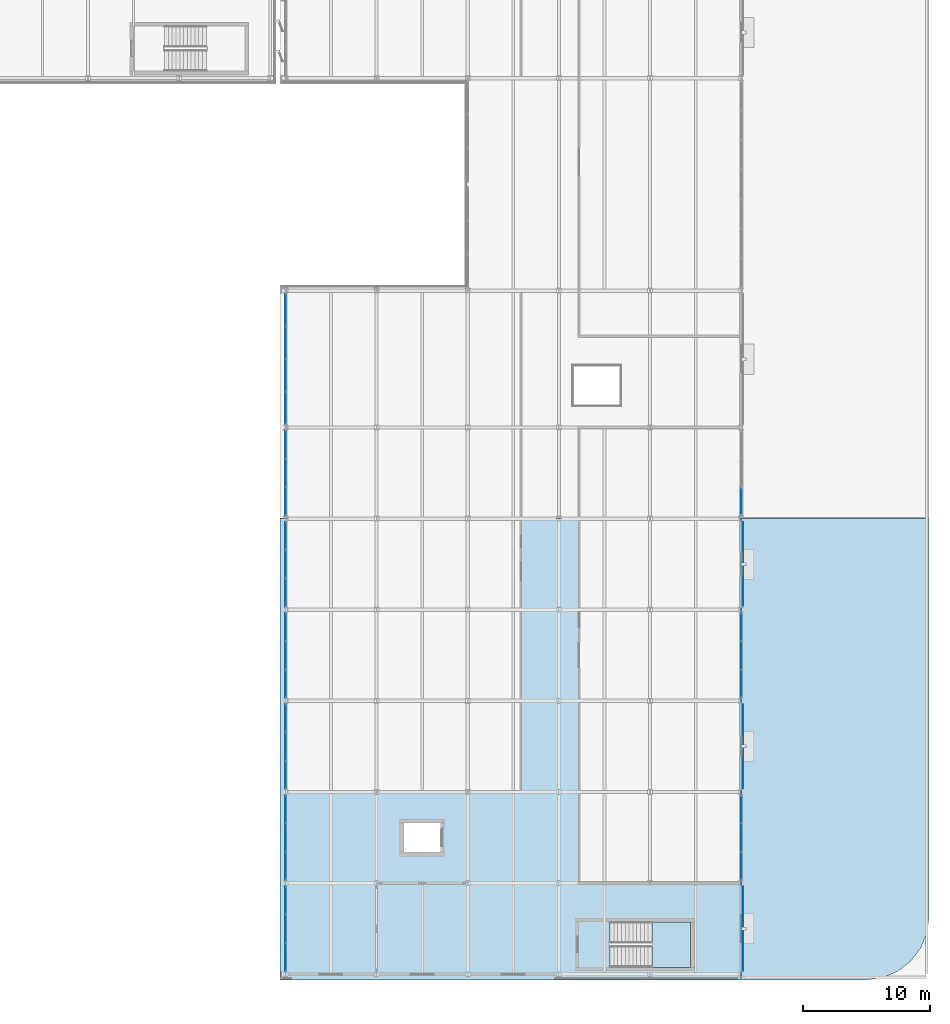
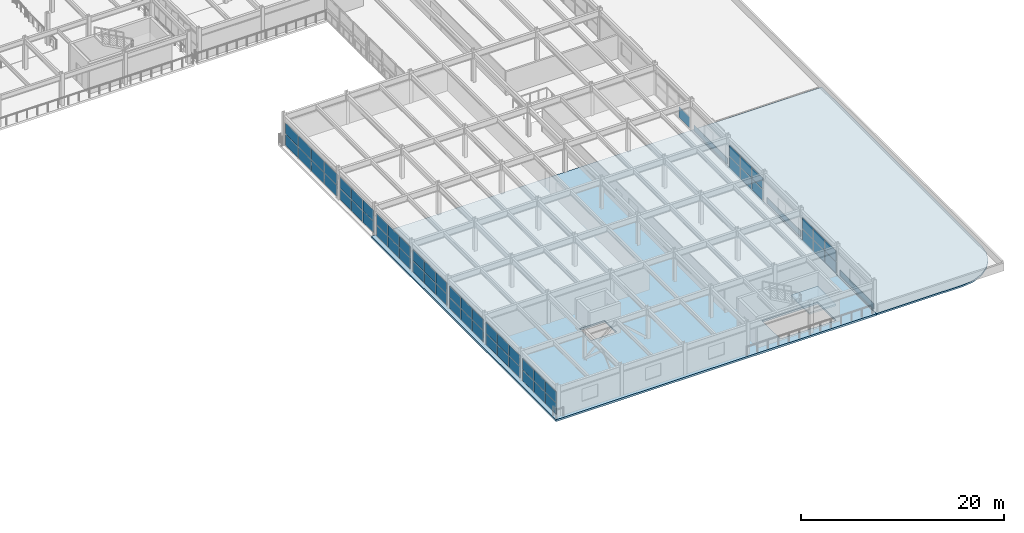
# One storey, part 43 of 80: 60 plates, 3 slabs, 11 elements without a shape of their own.
"""IFC4 building model written with IfcOpenShell, lengths in metres."""

from ifc_helpers import new_model, si_unit, direction, frame, origin, origin_2d, place, context, subcontext, project, spatial, polyline, rectangle, outline, extrude, material, layer, layer_set, type_object, element, aggregate, save


model = new_model("IFC4")

# Units and contexts
model_context = context("Model", 3, precision=1e-05, world=origin(), true_north=direction((0.0, 1.0)))
body_context = subcontext(model_context, "Body", "Model", "MODEL_VIEW")
ifc_project = project(units=[si_unit("LENGTHUNIT", "METRE"), si_unit("AREAUNIT", "SQUARE_METRE"), si_unit("VOLUMEUNIT", "CUBIC_METRE"), si_unit("PLANEANGLEUNIT", "RADIAN"), si_unit("MASSUNIT", "GRAM", prefix="KILO")], contexts=[model_context])

# Site, building, storey
site_placement = place(None, origin())
site = spatial("IfcSite", under=ifc_project, at=site_placement, CompositionType="ELEMENT")
building_placement = place(site_placement, origin())
building = spatial("IfcBuilding", under=site, at=building_placement, Name="Vaelcorin Mobility Hub", CompositionType="ELEMENT")
storey_placement = place(building_placement, frame((0.0, 0.0, 9.300048828125)))
storey = spatial("IfcBuildingStorey", under=building, at=storey_placement, Name="L02", CompositionType="ELEMENT", Elevation=9.300048828125)

# Curtain wall, plates
ifc_material_1 = material(Name="Anodised aluminium 6063-T6", Category="aluminium")
curtain_wall_type = type_object("IfcCurtainWallType", Name="CW-MOB-A", PredefinedType="NOTDEFINED", material=ifc_material_1)
curtain_wall_1_placement = place(storey_placement, origin())
curtain_wall_1 = element("IfcCurtainWall", 1, at=curtain_wall_1_placement, inside=storey, type_object=curtain_wall_type, Name="L02 Curtain Wall CW-V5-L02-E-02", PredefinedType="NOTDEFINED")
ifc_material_2 = material(Name="Low-E solar-control insulated glazing", Category="glass")
ifc_layer_1 = layer(ifc_material_2, 0.028076171875)
ifc_layer_set_1 = layer_set([ifc_layer_1], Name="Low-E solar-control insulated glazing")
plate_type_1 = type_object("IfcPlateType", Name="CW-PAN-GLZ28", PredefinedType="CURTAIN_PANEL", material=ifc_layer_set_1)
plate_1_placement = place(storey_placement, frame((189.60009765625, 19.038330078125, 0.06005859375), z_axis=(0.0, 0.0, 1.0), x_axis=(0.0, -1.0, 0.0)))
plate_1 = element("IfcPlate", 2, at=plate_1_placement, type_object=plate_type_1, Name="CW7 panel 1.1", PredefinedType="CURTAIN_PANEL", context=body_context, shape_type="SweptSolid", body=[
    extrude(rectangle(XDim=2.163330078125, YDim=0.028076171875, at=origin_2d()), origin(), (0.0, 0.0, 1.0), 1.323974609375),
])
plate_2_placement = place(storey_placement, frame((189.60009765625, 19.038330078125, 1.44384765625), z_axis=(0.0, 0.0, 1.0), x_axis=(0.0, -1.0, 0.0)))
plate_2 = element("IfcPlate", 3, at=plate_2_placement, type_object=plate_type_1, Name="CW7 panel 1.2", PredefinedType="CURTAIN_PANEL", context=body_context, shape_type="SweptSolid", body=[
    extrude(rectangle(XDim=2.163330078125, YDim=0.028076171875, at=origin_2d()), origin(), (0.0, 0.0, 1.0), 1.323974609375),
])
plate_3_placement = place(storey_placement, frame((189.60009765625, 16.800048828125, 0.06005859375), z_axis=(0.0, 0.0, 1.0), x_axis=(0.0, -1.0, 0.0)))
plate_3 = element("IfcPlate", 4, at=plate_3_placement, type_object=plate_type_1, Name="CW7 panel 2.1", PredefinedType="CURTAIN_PANEL", context=body_context, shape_type="SweptSolid", body=[
    extrude(rectangle(XDim=2.193359375, YDim=0.028076171875, at=origin_2d()), origin(), (0.0, 0.0, 1.0), 1.323974609375),
])
plate_4_placement = place(storey_placement, frame((189.60009765625, 16.800048828125, 1.44384765625), z_axis=(0.0, 0.0, 1.0), x_axis=(0.0, -1.0, 0.0)))
plate_4 = element("IfcPlate", 5, at=plate_4_placement, type_object=plate_type_1, Name="CW7 panel 2.2", PredefinedType="CURTAIN_PANEL", context=body_context, shape_type="SweptSolid", body=[
    extrude(rectangle(XDim=2.193359375, YDim=0.028076171875, at=origin_2d()), origin(), (0.0, 0.0, 1.0), 1.323974609375),
])
plate_5_placement = place(storey_placement, frame((189.60009765625, 14.561767578125, 0.06005859375), z_axis=(0.0, 0.0, 1.0), x_axis=(0.0, -1.0, 0.0)))
plate_5 = element("IfcPlate", 6, at=plate_5_placement, type_object=plate_type_1, Name="CW7 panel 3.1", PredefinedType="CURTAIN_PANEL", context=body_context, shape_type="SweptSolid", body=[
    extrude(rectangle(XDim=2.163330078125, YDim=0.028076171875, at=origin_2d()), origin(), (0.0, 0.0, 1.0), 1.323974609375),
])
plate_6_placement = place(storey_placement, frame((189.60009765625, 14.561767578125, 1.44384765625), z_axis=(0.0, 0.0, 1.0), x_axis=(0.0, -1.0, 0.0)))
plate_6 = element("IfcPlate", 7, at=plate_6_placement, type_object=plate_type_1, Name="CW7 panel 3.2", PredefinedType="CURTAIN_PANEL", context=body_context, shape_type="SweptSolid", body=[
    extrude(rectangle(XDim=2.163330078125, YDim=0.028076171875, at=origin_2d()), origin(), (0.0, 0.0, 1.0), 1.323974609375),
])
aggregate(curtain_wall_1, [plate_1, plate_2, plate_3, plate_4, plate_5, plate_6])

curtain_wall_2_placement = place(storey_placement, origin())
curtain_wall_2 = element("IfcCurtainWall", 8, at=curtain_wall_2_placement, inside=storey, type_object=curtain_wall_type, Name="L02 Curtain Wall CW-V5-L02-E-04", PredefinedType="NOTDEFINED")
plate_7_placement = place(storey_placement, frame((189.60009765625, 33.438232421875, 0.06005859375), z_axis=(0.0, 0.0, 1.0), x_axis=(0.0, -1.0, 0.0)))
plate_7 = element("IfcPlate", 9, at=plate_7_placement, type_object=plate_type_1, Name="CW7 panel 1.1", PredefinedType="CURTAIN_PANEL", context=body_context, shape_type="SweptSolid", body=[
    extrude(rectangle(XDim=2.163330078125, YDim=0.028076171875, at=origin_2d()), origin(), (0.0, 0.0, 1.0), 1.323974609375),
])
plate_8_placement = place(storey_placement, frame((189.60009765625, 33.438232421875, 1.44384765625), z_axis=(0.0, 0.0, 1.0), x_axis=(0.0, -1.0, 0.0)))
plate_8 = element("IfcPlate", 10, at=plate_8_placement, type_object=plate_type_1, Name="CW7 panel 1.2", PredefinedType="CURTAIN_PANEL", context=body_context, shape_type="SweptSolid", body=[
    extrude(rectangle(XDim=2.163330078125, YDim=0.028076171875, at=origin_2d()), origin(), (0.0, 0.0, 1.0), 1.323974609375),
])
plate_9_placement = place(storey_placement, frame((189.60009765625, 31.199951171875, 0.06005859375), z_axis=(0.0, 0.0, 1.0), x_axis=(0.0, -1.0, 0.0)))
plate_9 = element("IfcPlate", 11, at=plate_9_placement, type_object=plate_type_1, Name="CW7 panel 2.1", PredefinedType="CURTAIN_PANEL", context=body_context, shape_type="SweptSolid", body=[
    extrude(rectangle(XDim=2.193359375, YDim=0.028076171875, at=origin_2d()), origin(), (0.0, 0.0, 1.0), 1.323974609375),
])
plate_10_placement = place(storey_placement, frame((189.60009765625, 31.199951171875, 1.44384765625), z_axis=(0.0, 0.0, 1.0), x_axis=(0.0, -1.0, 0.0)))
plate_10 = element("IfcPlate", 12, at=plate_10_placement, type_object=plate_type_1, Name="CW7 panel 2.2", PredefinedType="CURTAIN_PANEL", context=body_context, shape_type="SweptSolid", body=[
    extrude(rectangle(XDim=2.193359375, YDim=0.028076171875, at=origin_2d()), origin(), (0.0, 0.0, 1.0), 1.323974609375),
])
plate_11_placement = place(storey_placement, frame((189.60009765625, 28.961669921875, 0.06005859375), z_axis=(0.0, 0.0, 1.0), x_axis=(0.0, -1.0, 0.0)))
plate_11 = element("IfcPlate", 13, at=plate_11_placement, type_object=plate_type_1, Name="CW7 panel 3.1", PredefinedType="CURTAIN_PANEL", context=body_context, shape_type="SweptSolid", body=[
    extrude(rectangle(XDim=2.163330078125, YDim=0.028076171875, at=origin_2d()), origin(), (0.0, 0.0, 1.0), 1.323974609375),
])
plate_12_placement = place(storey_placement, frame((189.60009765625, 28.961669921875, 1.44384765625), z_axis=(0.0, 0.0, 1.0), x_axis=(0.0, -1.0, 0.0)))
plate_12 = element("IfcPlate", 14, at=plate_12_placement, type_object=plate_type_1, Name="CW7 panel 3.2", PredefinedType="CURTAIN_PANEL", context=body_context, shape_type="SweptSolid", body=[
    extrude(rectangle(XDim=2.163330078125, YDim=0.028076171875, at=origin_2d()), origin(), (0.0, 0.0, 1.0), 1.323974609375),
])
aggregate(curtain_wall_2, [plate_7, plate_8, plate_9, plate_10, plate_11, plate_12])

# Curtain wall, plate
curtain_wall_3_placement = place(storey_placement, origin())
curtain_wall_3 = element("IfcCurtainWall", 15, at=curtain_wall_3_placement, inside=storey, type_object=curtain_wall_type, Name="L02 Curtain Wall CW-V5-L02-E-06", PredefinedType="NOTDEFINED")
plate_13_placement = place(storey_placement, frame((189.60009765625, 43.361572265625, 0.06005859375), z_axis=(0.0, 0.0, 1.0), x_axis=(0.0, -1.0, 0.0)))
plate_13 = element("IfcPlate", 16, at=plate_13_placement, type_object=plate_type_1, Name="CW7 panel 3.1", PredefinedType="CURTAIN_PANEL", context=body_context, shape_type="SweptSolid", body=[
    extrude(rectangle(XDim=2.163330078125, YDim=0.028076171875, at=origin_2d()), origin(), (0.0, 0.0, 1.0), 1.323974609375),
])
aggregate(curtain_wall_3, [plate_13])

# Curtain wall, plates
curtain_wall_4_placement = place(storey_placement, origin())
curtain_wall_4 = element("IfcCurtainWall", 17, at=curtain_wall_4_placement, inside=storey, type_object=curtain_wall_type, Name="L02 Curtain Wall CW-V5-L02-WS-01", PredefinedType="NOTDEFINED")
plate_14_placement = place(storey_placement, frame((153.60009765625, 7.361572265625, 0.06005859375), z_axis=(0.0, 0.0, 1.0), x_axis=(0.0, 1.0, 0.0)))
plate_14 = element("IfcPlate", 18, at=plate_14_placement, type_object=plate_type_1, Name="CW7 panel 1.1", PredefinedType="CURTAIN_PANEL", context=body_context, shape_type="SweptSolid", body=[
    extrude(rectangle(XDim=2.163330078125, YDim=0.028076171875, at=origin_2d()), origin(), (0.0, 0.0, 1.0), 1.323974609375),
])
plate_15_placement = place(storey_placement, frame((153.60009765625, 7.361572265625, 1.44384765625), z_axis=(0.0, 0.0, 1.0), x_axis=(0.0, 1.0, 0.0)))
plate_15 = element("IfcPlate", 19, at=plate_15_placement, type_object=plate_type_1, Name="CW7 panel 1.2", PredefinedType="CURTAIN_PANEL", context=body_context, shape_type="SweptSolid", body=[
    extrude(rectangle(XDim=2.163330078125, YDim=0.028076171875, at=origin_2d()), origin(), (0.0, 0.0, 1.0), 1.323974609375),
])
plate_16_placement = place(storey_placement, frame((153.60009765625, 9.60009765625, 0.06005859375), z_axis=(0.0, 0.0, 1.0), x_axis=(0.0, 1.0, 0.0)))
plate_16 = element("IfcPlate", 20, at=plate_16_placement, type_object=plate_type_1, Name="CW7 panel 2.1", PredefinedType="CURTAIN_PANEL", context=body_context, shape_type="SweptSolid", body=[
    extrude(rectangle(XDim=2.193359375, YDim=0.028076171875, at=origin_2d()), origin(), (0.0, 0.0, 1.0), 1.323974609375),
])
plate_17_placement = place(storey_placement, frame((153.60009765625, 9.60009765625, 1.44384765625), z_axis=(0.0, 0.0, 1.0), x_axis=(0.0, 1.0, 0.0)))
plate_17 = element("IfcPlate", 21, at=plate_17_placement, type_object=plate_type_1, Name="CW7 panel 2.2", PredefinedType="CURTAIN_PANEL", context=body_context, shape_type="SweptSolid", body=[
    extrude(rectangle(XDim=2.193359375, YDim=0.028076171875, at=origin_2d()), origin(), (0.0, 0.0, 1.0), 1.323974609375),
])
plate_18_placement = place(storey_placement, frame((153.60009765625, 11.83837890625, 0.06005859375), z_axis=(0.0, 0.0, 1.0), x_axis=(0.0, 1.0, 0.0)))
plate_18 = element("IfcPlate", 22, at=plate_18_placement, type_object=plate_type_1, Name="CW7 panel 3.1", PredefinedType="CURTAIN_PANEL", context=body_context, shape_type="SweptSolid", body=[
    extrude(rectangle(XDim=2.163330078125, YDim=0.028076171875, at=origin_2d()), origin(), (0.0, 0.0, 1.0), 1.323974609375),
])
plate_19_placement = place(storey_placement, frame((153.60009765625, 11.83837890625, 1.44384765625), z_axis=(0.0, 0.0, 1.0), x_axis=(0.0, 1.0, 0.0)))
plate_19 = element("IfcPlate", 23, at=plate_19_placement, type_object=plate_type_1, Name="CW7 panel 3.2", PredefinedType="CURTAIN_PANEL", context=body_context, shape_type="SweptSolid", body=[
    extrude(rectangle(XDim=2.163330078125, YDim=0.028076171875, at=origin_2d()), origin(), (0.0, 0.0, 1.0), 1.323974609375),
])
aggregate(curtain_wall_4, [plate_14, plate_15, plate_16, plate_17, plate_18, plate_19])

curtain_wall_5_placement = place(storey_placement, origin())
curtain_wall_5 = element("IfcCurtainWall", 24, at=curtain_wall_5_placement, inside=storey, type_object=curtain_wall_type, Name="L02 Curtain Wall CW-V5-L02-WS-02", PredefinedType="NOTDEFINED")
plate_20_placement = place(storey_placement, frame((153.60009765625, 14.561767578125, 0.06005859375), z_axis=(0.0, 0.0, 1.0), x_axis=(0.0, 1.0, 0.0)))
plate_20 = element("IfcPlate", 25, at=plate_20_placement, type_object=plate_type_1, Name="CW7 panel 1.1", PredefinedType="CURTAIN_PANEL", context=body_context, shape_type="SweptSolid", body=[
    extrude(rectangle(XDim=2.163330078125, YDim=0.028076171875, at=origin_2d()), origin(), (0.0, 0.0, 1.0), 1.323974609375),
])
plate_21_placement = place(storey_placement, frame((153.60009765625, 14.561767578125, 1.44384765625), z_axis=(0.0, 0.0, 1.0), x_axis=(0.0, 1.0, 0.0)))
plate_21 = element("IfcPlate", 26, at=plate_21_placement, type_object=plate_type_1, Name="CW7 panel 1.2", PredefinedType="CURTAIN_PANEL", context=body_context, shape_type="SweptSolid", body=[
    extrude(rectangle(XDim=2.163330078125, YDim=0.028076171875, at=origin_2d()), origin(), (0.0, 0.0, 1.0), 1.323974609375),
])
plate_22_placement = place(storey_placement, frame((153.60009765625, 16.800048828125, 0.06005859375), z_axis=(0.0, 0.0, 1.0), x_axis=(0.0, 1.0, 0.0)))
plate_22 = element("IfcPlate", 27, at=plate_22_placement, type_object=plate_type_1, Name="CW7 panel 2.1", PredefinedType="CURTAIN_PANEL", context=body_context, shape_type="SweptSolid", body=[
    extrude(rectangle(XDim=2.193359375, YDim=0.028076171875, at=origin_2d()), origin(), (0.0, 0.0, 1.0), 1.323974609375),
])
plate_23_placement = place(storey_placement, frame((153.60009765625, 16.800048828125, 1.44384765625), z_axis=(0.0, 0.0, 1.0), x_axis=(0.0, 1.0, 0.0)))
plate_23 = element("IfcPlate", 28, at=plate_23_placement, type_object=plate_type_1, Name="CW7 panel 2.2", PredefinedType="CURTAIN_PANEL", context=body_context, shape_type="SweptSolid", body=[
    extrude(rectangle(XDim=2.193359375, YDim=0.028076171875, at=origin_2d()), origin(), (0.0, 0.0, 1.0), 1.323974609375),
])
plate_24_placement = place(storey_placement, frame((153.60009765625, 19.038330078125, 0.06005859375), z_axis=(0.0, 0.0, 1.0), x_axis=(0.0, 1.0, 0.0)))
plate_24 = element("IfcPlate", 29, at=plate_24_placement, type_object=plate_type_1, Name="CW7 panel 3.1", PredefinedType="CURTAIN_PANEL", context=body_context, shape_type="SweptSolid", body=[
    extrude(rectangle(XDim=2.163330078125, YDim=0.028076171875, at=origin_2d()), origin(), (0.0, 0.0, 1.0), 1.323974609375),
])
plate_25_placement = place(storey_placement, frame((153.60009765625, 19.038330078125, 1.44384765625), z_axis=(0.0, 0.0, 1.0), x_axis=(0.0, 1.0, 0.0)))
plate_25 = element("IfcPlate", 30, at=plate_25_placement, type_object=plate_type_1, Name="CW7 panel 3.2", PredefinedType="CURTAIN_PANEL", context=body_context, shape_type="SweptSolid", body=[
    extrude(rectangle(XDim=2.163330078125, YDim=0.028076171875, at=origin_2d()), origin(), (0.0, 0.0, 1.0), 1.323974609375),
])
aggregate(curtain_wall_5, [plate_20, plate_21, plate_22, plate_23, plate_24, plate_25])

curtain_wall_6_placement = place(storey_placement, origin())
curtain_wall_6 = element("IfcCurtainWall", 31, at=curtain_wall_6_placement, inside=storey, type_object=curtain_wall_type, Name="L02 Curtain Wall CW-V5-L02-WS-03", PredefinedType="NOTDEFINED")
plate_26_placement = place(storey_placement, frame((153.60009765625, 21.76171875, 0.06005859375), z_axis=(0.0, 0.0, 1.0), x_axis=(0.0, 1.0, 0.0)))
plate_26 = element("IfcPlate", 32, at=plate_26_placement, type_object=plate_type_1, Name="CW7 panel 1.1", PredefinedType="CURTAIN_PANEL", context=body_context, shape_type="SweptSolid", body=[
    extrude(rectangle(XDim=2.163330078125, YDim=0.028076171875, at=origin_2d()), origin(), (0.0, 0.0, 1.0), 1.323974609375),
])
plate_27_placement = place(storey_placement, frame((153.60009765625, 21.76171875, 1.44384765625), z_axis=(0.0, 0.0, 1.0), x_axis=(0.0, 1.0, 0.0)))
plate_27 = element("IfcPlate", 33, at=plate_27_placement, type_object=plate_type_1, Name="CW7 panel 1.2", PredefinedType="CURTAIN_PANEL", context=body_context, shape_type="SweptSolid", body=[
    extrude(rectangle(XDim=2.163330078125, YDim=0.028076171875, at=origin_2d()), origin(), (0.0, 0.0, 1.0), 1.323974609375),
])
plate_28_placement = place(storey_placement, frame((153.60009765625, 24.0, 0.06005859375), z_axis=(0.0, 0.0, 1.0), x_axis=(0.0, 1.0, 0.0)))
plate_28 = element("IfcPlate", 34, at=plate_28_placement, type_object=plate_type_1, Name="CW7 panel 2.1", PredefinedType="CURTAIN_PANEL", context=body_context, shape_type="SweptSolid", body=[
    extrude(rectangle(XDim=2.193359375, YDim=0.028076171875, at=origin_2d()), origin(), (0.0, 0.0, 1.0), 1.323974609375),
])
plate_29_placement = place(storey_placement, frame((153.60009765625, 24.0, 1.44384765625), z_axis=(0.0, 0.0, 1.0), x_axis=(0.0, 1.0, 0.0)))
plate_29 = element("IfcPlate", 35, at=plate_29_placement, type_object=plate_type_1, Name="CW7 panel 2.2", PredefinedType="CURTAIN_PANEL", context=body_context, shape_type="SweptSolid", body=[
    extrude(rectangle(XDim=2.193359375, YDim=0.028076171875, at=origin_2d()), origin(), (0.0, 0.0, 1.0), 1.323974609375),
])
plate_30_placement = place(storey_placement, frame((153.60009765625, 26.23828125, 0.06005859375), z_axis=(0.0, 0.0, 1.0), x_axis=(0.0, 1.0, 0.0)))
plate_30 = element("IfcPlate", 36, at=plate_30_placement, type_object=plate_type_1, Name="CW7 panel 3.1", PredefinedType="CURTAIN_PANEL", context=body_context, shape_type="SweptSolid", body=[
    extrude(rectangle(XDim=2.163330078125, YDim=0.028076171875, at=origin_2d()), origin(), (0.0, 0.0, 1.0), 1.323974609375),
])
plate_31_placement = place(storey_placement, frame((153.60009765625, 26.23828125, 1.44384765625), z_axis=(0.0, 0.0, 1.0), x_axis=(0.0, 1.0, 0.0)))
plate_31 = element("IfcPlate", 37, at=plate_31_placement, type_object=plate_type_1, Name="CW7 panel 3.2", PredefinedType="CURTAIN_PANEL", context=body_context, shape_type="SweptSolid", body=[
    extrude(rectangle(XDim=2.163330078125, YDim=0.028076171875, at=origin_2d()), origin(), (0.0, 0.0, 1.0), 1.323974609375),
])
aggregate(curtain_wall_6, [plate_26, plate_27, plate_28, plate_29, plate_30, plate_31])

curtain_wall_7_placement = place(storey_placement, origin())
curtain_wall_7 = element("IfcCurtainWall", 38, at=curtain_wall_7_placement, inside=storey, type_object=curtain_wall_type, Name="L02 Curtain Wall CW-V5-L02-WS-04", PredefinedType="NOTDEFINED")
plate_32_placement = place(storey_placement, frame((153.60009765625, 28.961669921875, 0.06005859375), z_axis=(0.0, 0.0, 1.0), x_axis=(0.0, 1.0, 0.0)))
plate_32 = element("IfcPlate", 39, at=plate_32_placement, type_object=plate_type_1, Name="CW7 panel 1.1", PredefinedType="CURTAIN_PANEL", context=body_context, shape_type="SweptSolid", body=[
    extrude(rectangle(XDim=2.163330078125, YDim=0.028076171875, at=origin_2d()), origin(), (0.0, 0.0, 1.0), 1.323974609375),
])
plate_33_placement = place(storey_placement, frame((153.60009765625, 28.961669921875, 1.44384765625), z_axis=(0.0, 0.0, 1.0), x_axis=(0.0, 1.0, 0.0)))
plate_33 = element("IfcPlate", 40, at=plate_33_placement, type_object=plate_type_1, Name="CW7 panel 1.2", PredefinedType="CURTAIN_PANEL", context=body_context, shape_type="SweptSolid", body=[
    extrude(rectangle(XDim=2.163330078125, YDim=0.028076171875, at=origin_2d()), origin(), (0.0, 0.0, 1.0), 1.323974609375),
])
plate_34_placement = place(storey_placement, frame((153.60009765625, 31.199951171875, 0.06005859375), z_axis=(0.0, 0.0, 1.0), x_axis=(0.0, 1.0, 0.0)))
plate_34 = element("IfcPlate", 41, at=plate_34_placement, type_object=plate_type_1, Name="CW7 panel 2.1", PredefinedType="CURTAIN_PANEL", context=body_context, shape_type="SweptSolid", body=[
    extrude(rectangle(XDim=2.193359375, YDim=0.028076171875, at=origin_2d()), origin(), (0.0, 0.0, 1.0), 1.323974609375),
])
plate_35_placement = place(storey_placement, frame((153.60009765625, 31.199951171875, 1.44384765625), z_axis=(0.0, 0.0, 1.0), x_axis=(0.0, 1.0, 0.0)))
plate_35 = element("IfcPlate", 42, at=plate_35_placement, type_object=plate_type_1, Name="CW7 panel 2.2", PredefinedType="CURTAIN_PANEL", context=body_context, shape_type="SweptSolid", body=[
    extrude(rectangle(XDim=2.193359375, YDim=0.028076171875, at=origin_2d()), origin(), (0.0, 0.0, 1.0), 1.323974609375),
])
plate_36_placement = place(storey_placement, frame((153.60009765625, 33.438232421875, 0.06005859375), z_axis=(0.0, 0.0, 1.0), x_axis=(0.0, 1.0, 0.0)))
plate_36 = element("IfcPlate", 43, at=plate_36_placement, type_object=plate_type_1, Name="CW7 panel 3.1", PredefinedType="CURTAIN_PANEL", context=body_context, shape_type="SweptSolid", body=[
    extrude(rectangle(XDim=2.163330078125, YDim=0.028076171875, at=origin_2d()), origin(), (0.0, 0.0, 1.0), 1.323974609375),
])
plate_37_placement = place(storey_placement, frame((153.60009765625, 33.438232421875, 1.44384765625), z_axis=(0.0, 0.0, 1.0), x_axis=(0.0, 1.0, 0.0)))
plate_37 = element("IfcPlate", 44, at=plate_37_placement, type_object=plate_type_1, Name="CW7 panel 3.2", PredefinedType="CURTAIN_PANEL", context=body_context, shape_type="SweptSolid", body=[
    extrude(rectangle(XDim=2.163330078125, YDim=0.028076171875, at=origin_2d()), origin(), (0.0, 0.0, 1.0), 1.323974609375),
])
aggregate(curtain_wall_7, [plate_32, plate_33, plate_34, plate_35, plate_36, plate_37])

curtain_wall_8_placement = place(storey_placement, origin())
curtain_wall_8 = element("IfcCurtainWall", 45, at=curtain_wall_8_placement, inside=storey, type_object=curtain_wall_type, Name="L02 Curtain Wall CW-V5-L02-WS-05", PredefinedType="NOTDEFINED")
plate_38_placement = place(storey_placement, frame((153.60009765625, 36.16162109375, 0.06005859375), z_axis=(0.0, 0.0, 1.0), x_axis=(0.0, 1.0, 0.0)))
plate_38 = element("IfcPlate", 46, at=plate_38_placement, type_object=plate_type_1, Name="CW7 panel 1.1", PredefinedType="CURTAIN_PANEL", context=body_context, shape_type="SweptSolid", body=[
    extrude(rectangle(XDim=2.163330078125, YDim=0.028076171875, at=origin_2d()), origin(), (0.0, 0.0, 1.0), 1.323974609375),
])
plate_39_placement = place(storey_placement, frame((153.60009765625, 36.16162109375, 1.44384765625), z_axis=(0.0, 0.0, 1.0), x_axis=(0.0, 1.0, 0.0)))
plate_39 = element("IfcPlate", 47, at=plate_39_placement, type_object=plate_type_1, Name="CW7 panel 1.2", PredefinedType="CURTAIN_PANEL", context=body_context, shape_type="SweptSolid", body=[
    extrude(rectangle(XDim=2.163330078125, YDim=0.028076171875, at=origin_2d()), origin(), (0.0, 0.0, 1.0), 1.323974609375),
])
plate_40_placement = place(storey_placement, frame((153.60009765625, 38.39990234375, 0.06005859375), z_axis=(0.0, 0.0, 1.0), x_axis=(0.0, 1.0, 0.0)))
plate_40 = element("IfcPlate", 48, at=plate_40_placement, type_object=plate_type_1, Name="CW7 panel 2.1", PredefinedType="CURTAIN_PANEL", context=body_context, shape_type="SweptSolid", body=[
    extrude(rectangle(XDim=2.193359375, YDim=0.028076171875, at=origin_2d()), origin(), (0.0, 0.0, 1.0), 1.323974609375),
])
plate_41_placement = place(storey_placement, frame((153.60009765625, 38.39990234375, 1.44384765625), z_axis=(0.0, 0.0, 1.0), x_axis=(0.0, 1.0, 0.0)))
plate_41 = element("IfcPlate", 49, at=plate_41_placement, type_object=plate_type_1, Name="CW7 panel 2.2", PredefinedType="CURTAIN_PANEL", context=body_context, shape_type="SweptSolid", body=[
    extrude(rectangle(XDim=2.193359375, YDim=0.028076171875, at=origin_2d()), origin(), (0.0, 0.0, 1.0), 1.323974609375),
])
plate_42_placement = place(storey_placement, frame((153.60009765625, 40.638427734375, 0.06005859375), z_axis=(0.0, 0.0, 1.0), x_axis=(0.0, 1.0, 0.0)))
plate_42 = element("IfcPlate", 50, at=plate_42_placement, type_object=plate_type_1, Name="CW7 panel 3.1", PredefinedType="CURTAIN_PANEL", context=body_context, shape_type="SweptSolid", body=[
    extrude(rectangle(XDim=2.163330078125, YDim=0.028076171875, at=origin_2d()), origin(), (0.0, 0.0, 1.0), 1.323974609375),
])
plate_43_placement = place(storey_placement, frame((153.60009765625, 40.638427734375, 1.44384765625), z_axis=(0.0, 0.0, 1.0), x_axis=(0.0, 1.0, 0.0)))
plate_43 = element("IfcPlate", 51, at=plate_43_placement, type_object=plate_type_1, Name="CW7 panel 3.2", PredefinedType="CURTAIN_PANEL", context=body_context, shape_type="SweptSolid", body=[
    extrude(rectangle(XDim=2.163330078125, YDim=0.028076171875, at=origin_2d()), origin(), (0.0, 0.0, 1.0), 1.323974609375),
])
aggregate(curtain_wall_8, [plate_38, plate_39, plate_40, plate_41, plate_42, plate_43])

curtain_wall_9_placement = place(storey_placement, origin())
curtain_wall_9 = element("IfcCurtainWall", 52, at=curtain_wall_9_placement, inside=storey, type_object=curtain_wall_type, Name="L02 Curtain Wall CW-V5-L02-WS-06", PredefinedType="NOTDEFINED")
plate_44_placement = place(storey_placement, frame((153.60009765625, 43.361572265625, 0.06005859375), z_axis=(0.0, 0.0, 1.0), x_axis=(0.0, 1.0, 0.0)))
plate_44 = element("IfcPlate", 53, at=plate_44_placement, type_object=plate_type_1, Name="CW7 panel 1.1", PredefinedType="CURTAIN_PANEL", context=body_context, shape_type="SweptSolid", body=[
    extrude(rectangle(XDim=2.163330078125, YDim=0.028076171875, at=origin_2d()), origin(), (0.0, 0.0, 1.0), 1.323974609375),
])
plate_45_placement = place(storey_placement, frame((153.60009765625, 43.361572265625, 1.44384765625), z_axis=(0.0, 0.0, 1.0), x_axis=(0.0, 1.0, 0.0)))
plate_45 = element("IfcPlate", 54, at=plate_45_placement, type_object=plate_type_1, Name="CW7 panel 1.2", PredefinedType="CURTAIN_PANEL", context=body_context, shape_type="SweptSolid", body=[
    extrude(rectangle(XDim=2.163330078125, YDim=0.028076171875, at=origin_2d()), origin(), (0.0, 0.0, 1.0), 1.323974609375),
])
plate_46_placement = place(storey_placement, frame((153.60009765625, 45.60009765625, 0.06005859375), z_axis=(0.0, 0.0, 1.0), x_axis=(0.0, 1.0, 0.0)))
plate_46 = element("IfcPlate", 55, at=plate_46_placement, type_object=plate_type_1, Name="CW7 panel 2.1", PredefinedType="CURTAIN_PANEL", context=body_context, shape_type="SweptSolid", body=[
    extrude(rectangle(XDim=2.193359375, YDim=0.028076171875, at=origin_2d()), origin(), (0.0, 0.0, 1.0), 1.323974609375),
])
plate_47_placement = place(storey_placement, frame((153.60009765625, 45.60009765625, 1.44384765625), z_axis=(0.0, 0.0, 1.0), x_axis=(0.0, 1.0, 0.0)))
plate_47 = element("IfcPlate", 56, at=plate_47_placement, type_object=plate_type_1, Name="CW7 panel 2.2", PredefinedType="CURTAIN_PANEL", context=body_context, shape_type="SweptSolid", body=[
    extrude(rectangle(XDim=2.193359375, YDim=0.028076171875, at=origin_2d()), origin(), (0.0, 0.0, 1.0), 1.323974609375),
])
plate_48_placement = place(storey_placement, frame((153.60009765625, 47.83837890625, 0.06005859375), z_axis=(0.0, 0.0, 1.0), x_axis=(0.0, 1.0, 0.0)))
plate_48 = element("IfcPlate", 57, at=plate_48_placement, type_object=plate_type_1, Name="CW7 panel 3.1", PredefinedType="CURTAIN_PANEL", context=body_context, shape_type="SweptSolid", body=[
    extrude(rectangle(XDim=2.163330078125, YDim=0.028076171875, at=origin_2d()), origin(), (0.0, 0.0, 1.0), 1.323974609375),
])
plate_49_placement = place(storey_placement, frame((153.60009765625, 47.83837890625, 1.44384765625), z_axis=(0.0, 0.0, 1.0), x_axis=(0.0, 1.0, 0.0)))
plate_49 = element("IfcPlate", 58, at=plate_49_placement, type_object=plate_type_1, Name="CW7 panel 3.2", PredefinedType="CURTAIN_PANEL", context=body_context, shape_type="SweptSolid", body=[
    extrude(rectangle(XDim=2.163330078125, YDim=0.028076171875, at=origin_2d()), origin(), (0.0, 0.0, 1.0), 1.323974609375),
])
aggregate(curtain_wall_9, [plate_44, plate_45, plate_46, plate_47, plate_48, plate_49])

curtain_wall_10_placement = place(storey_placement, origin())
curtain_wall_10 = element("IfcCurtainWall", 59, at=curtain_wall_10_placement, inside=storey, type_object=curtain_wall_type, Name="L02 Curtain Wall CW-V5-L02-WS-07", PredefinedType="NOTDEFINED")
plate_50_placement = place(storey_placement, frame((153.60009765625, 50.72998046875, 0.06005859375), z_axis=(0.0, 0.0, 1.0), x_axis=(0.0, 1.0, 0.0)))
plate_50 = element("IfcPlate", 60, at=plate_50_placement, type_object=plate_type_1, Name="CW7 panel 1.1", PredefinedType="CURTAIN_PANEL", context=body_context, shape_type="SweptSolid", body=[
    extrude(rectangle(XDim=2.5, YDim=0.028076171875, at=origin_2d()), origin(), (0.0, 0.0, 1.0), 1.323974609375),
])
plate_51_placement = place(storey_placement, frame((153.60009765625, 50.72998046875, 1.44384765625), z_axis=(0.0, 0.0, 1.0), x_axis=(0.0, 1.0, 0.0)))
plate_51 = element("IfcPlate", 61, at=plate_51_placement, type_object=plate_type_1, Name="CW7 panel 1.2", PredefinedType="CURTAIN_PANEL", context=body_context, shape_type="SweptSolid", body=[
    extrude(rectangle(XDim=2.5, YDim=0.028076171875, at=origin_2d()), origin(), (0.0, 0.0, 1.0), 1.323974609375),
])
plate_52_placement = place(storey_placement, frame((153.60009765625, 53.304931640625, 0.06005859375), z_axis=(0.0, 0.0, 1.0), x_axis=(0.0, 1.0, 0.0)))
plate_52 = element("IfcPlate", 62, at=plate_52_placement, type_object=plate_type_1, Name="CW7 panel 2.1", PredefinedType="CURTAIN_PANEL", context=body_context, shape_type="SweptSolid", body=[
    extrude(rectangle(XDim=2.530029296875, YDim=0.028076171875, at=origin_2d()), origin(), (0.0, 0.0, 1.0), 1.323974609375),
])
plate_53_placement = place(storey_placement, frame((153.60009765625, 53.304931640625, 1.44384765625), z_axis=(0.0, 0.0, 1.0), x_axis=(0.0, 1.0, 0.0)))
plate_53 = element("IfcPlate", 63, at=plate_53_placement, type_object=plate_type_1, Name="CW7 panel 2.2", PredefinedType="CURTAIN_PANEL", context=body_context, shape_type="SweptSolid", body=[
    extrude(rectangle(XDim=2.530029296875, YDim=0.028076171875, at=origin_2d()), origin(), (0.0, 0.0, 1.0), 1.323974609375),
])
plate_54_placement = place(storey_placement, frame((153.60009765625, 55.89501953125, 0.06005859375), z_axis=(0.0, 0.0, 1.0), x_axis=(0.0, 1.0, 0.0)))
plate_54 = element("IfcPlate", 64, at=plate_54_placement, type_object=plate_type_1, Name="CW7 panel 3.1", PredefinedType="CURTAIN_PANEL", context=body_context, shape_type="SweptSolid", body=[
    extrude(rectangle(XDim=2.530029296875, YDim=0.028076171875, at=origin_2d()), origin(), (0.0, 0.0, 1.0), 1.323974609375),
])
plate_55_placement = place(storey_placement, frame((153.60009765625, 55.89501953125, 1.44384765625), z_axis=(0.0, 0.0, 1.0), x_axis=(0.0, 1.0, 0.0)))
plate_55 = element("IfcPlate", 65, at=plate_55_placement, type_object=plate_type_1, Name="CW7 panel 3.2", PredefinedType="CURTAIN_PANEL", context=body_context, shape_type="SweptSolid", body=[
    extrude(rectangle(XDim=2.530029296875, YDim=0.028076171875, at=origin_2d()), origin(), (0.0, 0.0, 1.0), 1.323974609375),
])
plate_56_placement = place(storey_placement, frame((153.60009765625, 58.469970703125, 0.06005859375), z_axis=(0.0, 0.0, 1.0), x_axis=(0.0, 1.0, 0.0)))
plate_56 = element("IfcPlate", 66, at=plate_56_placement, type_object=plate_type_1, Name="CW7 panel 4.1", PredefinedType="CURTAIN_PANEL", context=body_context, shape_type="SweptSolid", body=[
    extrude(rectangle(XDim=2.5, YDim=0.028076171875, at=origin_2d()), origin(), (0.0, 0.0, 1.0), 1.323974609375),
])
plate_57_placement = place(storey_placement, frame((153.60009765625, 58.469970703125, 1.44384765625), z_axis=(0.0, 0.0, 1.0), x_axis=(0.0, 1.0, 0.0)))
plate_57 = element("IfcPlate", 67, at=plate_57_placement, type_object=plate_type_1, Name="CW7 panel 4.2", PredefinedType="CURTAIN_PANEL", context=body_context, shape_type="SweptSolid", body=[
    extrude(rectangle(XDim=2.5, YDim=0.028076171875, at=origin_2d()), origin(), (0.0, 0.0, 1.0), 1.323974609375),
])
aggregate(curtain_wall_10, [plate_50, plate_51, plate_52, plate_53, plate_54, plate_55, plate_56, plate_57])

# Plates
ifc_material_3 = material(Name="Extruded terracotta-bronze rainscreen panel", Category="masonry")
ifc_layer_2 = layer(ifc_material_3, 0.01806640625)
ifc_layer_set_2 = layer_set([ifc_layer_2], Name="Extruded terracotta-bronze rainscreen panel")
plate_type_2 = type_object("IfcPlateType", Name="PL-CLAD-18", PredefinedType="SHEET", material=ifc_layer_set_2)
for number, where, z_axis, x_axis, name in (
    (68, (189.739013671875, 9.60009765625, 0.0498046875), (0.0, 0.0, 1.0), (1.0, 0.0, 0.0), "Terracotta-Bronze Rainscreen Spandrel L02-01"),
    (69, (189.739013671875, 38.39990234375, 0.0498046875), (0.0, 0.0, 1.0), (1.0, 0.0, 0.0), "Terracotta-Bronze Rainscreen Spandrel L02-05"),
):
    element("IfcPlate", number, at=place(storey_placement, frame(where, z_axis=z_axis, x_axis=x_axis)), inside=storey, type_object=plate_type_2, Name=name, PredefinedType="SHEET", context=body_context, shape_type="SweptSolid", body=[
        extrude(rectangle(XDim=0.01806640625, YDim=6.60009765625, at=origin_2d()), origin(), (0.0, 0.0, 1.0), 0.699951171875),
    ])
ifc_layer_3 = layer(ifc_material_3, 0.02197265625)
ifc_layer_set_3 = layer_set([ifc_layer_3], Name="Extruded terracotta-bronze rainscreen panel")
plate_type_3 = type_object("IfcPlateType", Name="PL-CLAD-22", PredefinedType="SHEET", material=ifc_layer_set_3)
plate_58_placement = place(storey_placement, frame((189.740966796875, 24.0, 0.0498046875), z_axis=(0.0, 0.0, 1.0), x_axis=(1.0, 0.0, 0.0)))
element("IfcPlate", 70, at=plate_58_placement, inside=storey, type_object=plate_type_3, Name="Terracotta-Bronze Rainscreen Spandrel L02-03", PredefinedType="SHEET", context=body_context, shape_type="SweptSolid", body=[
    extrude(rectangle(XDim=0.02197265625, YDim=6.60009765625, at=origin_2d()), origin(), (0.0, 0.0, 1.0), 0.699951171875),
])

# Stair, slab
ifc_material_4 = material(Name="Reinforced concrete f'c 45 MPa", Category="concrete")
stair_type = type_object("IfcStairType", Name="STAIR-ST5", PredefinedType="HALF_TURN_STAIR", material=ifc_material_4)
stair_placement = place(storey_placement, origin())
stair = element("IfcStair", 71, at=stair_placement, inside=storey, type_object=stair_type, Name="L02 Protected Exit Stair ST5", PredefinedType="HALF_TURN_STAIR")
ifc_layer_4 = layer(ifc_material_4, 0.199951171875)
ifc_layer_set_4 = layer_set([ifc_layer_4], Name="Reinforced concrete f'c 45 MPa")
slab_type_1 = type_object("IfcSlabType", Name="SLAB-LND-200", PredefinedType="LANDING", material=ifc_layer_set_4)
slab_1_placement = place(storey_placement, frame((0.0, 0.0, 1.75)))
slab_1 = element("IfcSlab", 72, at=slab_1_placement, type_object=slab_type_1, Name="ST5 landing 1", PredefinedType="LANDING", context=body_context, shape_type="SweptSolid", body=[
    extrude(outline(polyline([(182.550048828125, 6.550048828125), (185.60009765625, 6.550048828125), (185.60009765625, 10.14990234375), (182.550048828125, 10.14990234375), (182.550048828125, 6.550048828125)])), origin(), (0.0, 0.0, 1.0), 0.199951171875),
])
aggregate(stair, [slab_1])

# Slabs
ifc_material_5 = material(Name="Concrete f'c 35 MPa", Category="concrete")
ifc_layer_5 = layer(ifc_material_5, 0.22998046875)
ifc_layer_set_5 = layer_set([ifc_layer_5], Name="Concrete f'c 35 MPa")
slab_type_2 = type_object("IfcSlabType", Name="SLAB-PK3", PredefinedType="FLOOR", material=ifc_layer_set_5)
slab_2_placement = place(storey_placement, frame((0.0, 0.0, -0.22998046875)))
element("IfcSlab", 73, at=slab_2_placement, inside=storey, type_object=slab_type_2, Name="L02 Mobility Workshop Floor SL-V5-L02-S", PredefinedType="FLOOR", context=body_context, shape_type="SweptSolid", body=[
    extrude(outline(polyline([(153.14990234375, 5.550048828125), (153.14990234375, 42.0), (189.60009765625, 42.0), (189.60009765625, 5.550048828125), (153.14990234375, 5.550048828125)]), holes=[polyline([(185.60009765625, 10.14990234375), (179.2548828125, 10.14990234375), (179.2548828125, 6.550048828125), (185.60009765625, 6.550048828125), (185.60009765625, 10.14990234375)]), polyline([(165.85009765625, 17.949951171875), (162.949951171875, 17.949951171875), (162.949951171875, 15.64990234375), (165.85009765625, 15.64990234375), (165.85009765625, 17.949951171875)])]), origin(), (0.0, 0.0, 1.0), 0.22998046875),
])
ifc_layer_6 = layer(ifc_material_5, 0.199951171875)
ifc_layer_set_6 = layer_set([ifc_layer_6], Name="Concrete f'c 35 MPa")
slab_type_3 = type_object("IfcSlabType", Name="SLAB-RF-V5E", PredefinedType="ROOF", material=ifc_layer_set_6)
slab_3_placement = place(storey_placement, frame((0.0, 0.0, -0.199951171875)))
element("IfcSlab", 74, at=slab_3_placement, inside=storey, type_object=slab_type_3, Name="L02 East Cycle Wing Roof SL-V5E-RF-S", PredefinedType="ROOF", context=body_context, shape_type="SweptSolid", body=[
    extrude(outline(polyline([(189.610107421875, 5.550048828125), (189.610107421875, 42.0), (204.449951171875, 42.0), (204.449951171875, 10.550048828125), (204.280029296875, 9.256103515625), (203.780029296875, 8.050048828125), (202.986083984375, 7.013916015625), (201.949951171875, 6.219970703125), (200.743896484375, 5.719970703125), (199.449951171875, 5.550048828125), (189.610107421875, 5.550048828125)])), origin(), (0.0, 0.0, 1.0), 0.199951171875),
])

save(model, "model.ifc")
